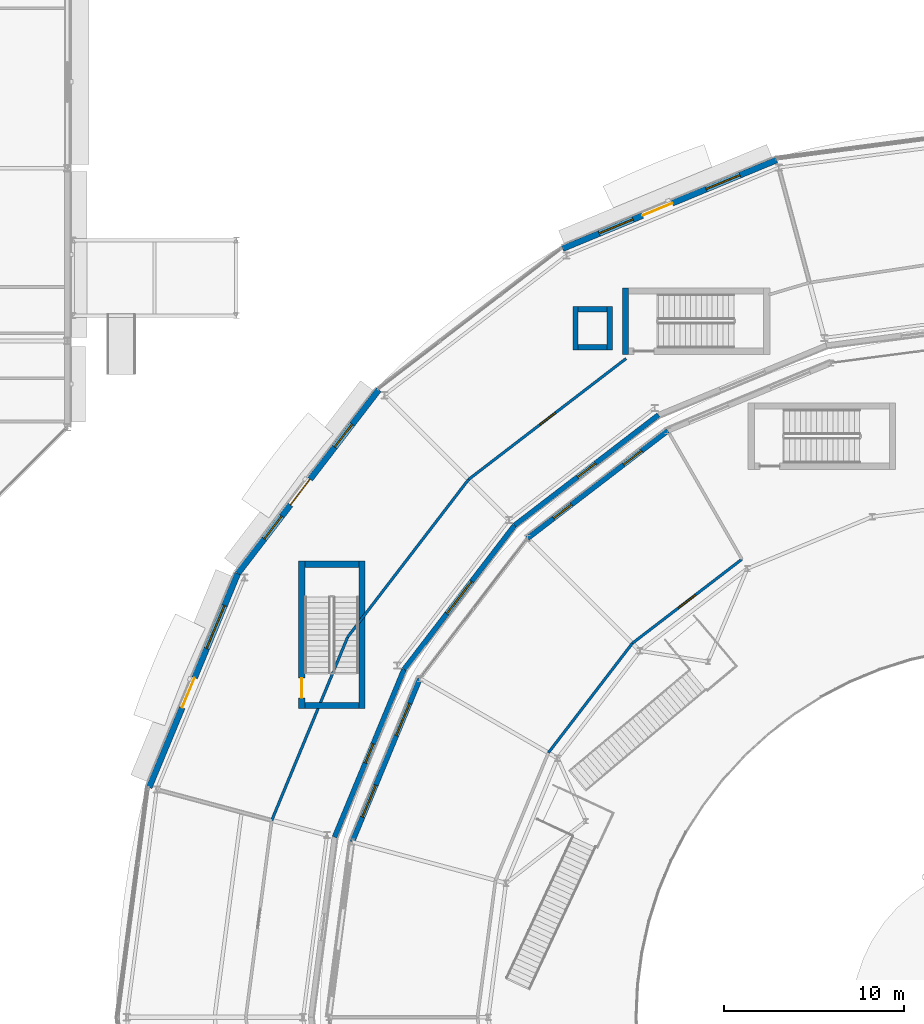
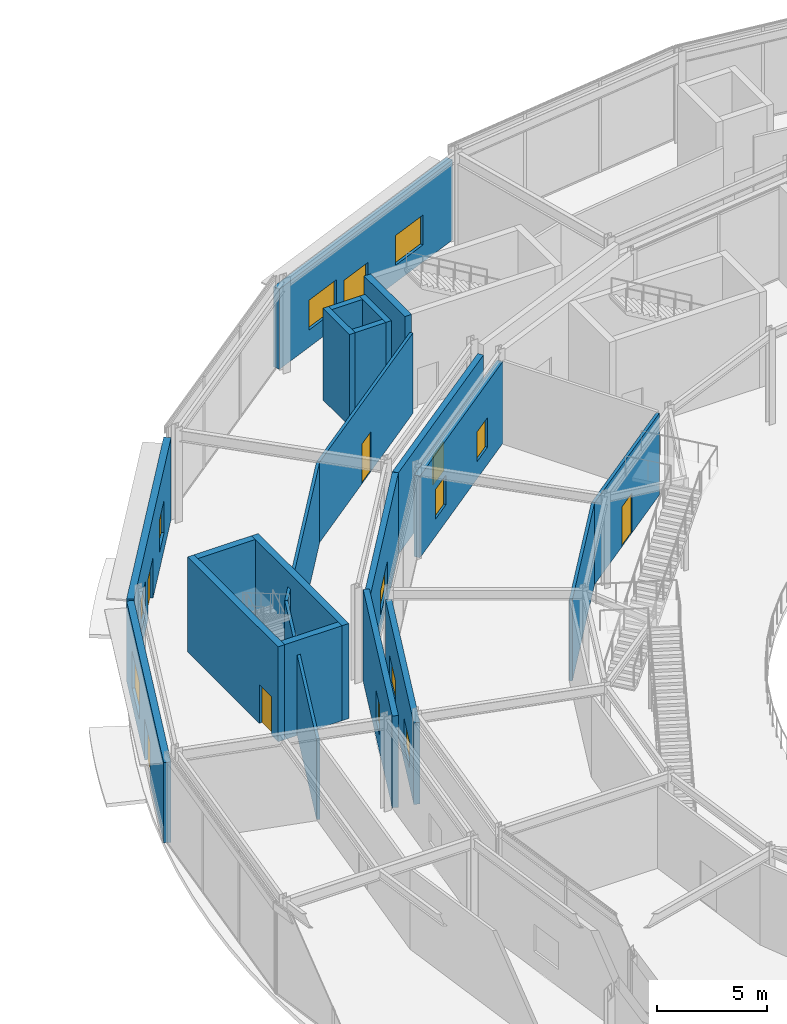
# One storey, part 123 of 168: 22 walls, 12 windows, 6 doors, 18 openings.
"""IFC4 building model written with IfcOpenShell, lengths in metres."""

import ifcopenshell
import ifcopenshell.guid

model = None  # the IFC model being written
_history = None  # IfcOwnerHistory: only IFC2X3 demands one
_inside = {}  # id of a spatial element -> (the spatial element, [elements in it])
_under = {}  # id of a project, library or spatial element -> (it, [spatial elements below it])
_declared = {}  # id of a project -> (the project, [libraries it declares])
_typed = {}  # id of a type object -> (the type object, [elements of that type])
_made_of = {}  # id of a material, layer set ... -> (it, [elements and type objects made of it])


def new_model(schema):
    """Start an empty IFC model of exactly this schema.

    Asked for "IFC4X3", IfcOpenShell would pick the latest addendum, in which some entities
    have other attributes; the version numbers below select the first issue.
    IFC2X3 requires an IfcOwnerHistory on every rooted entity: one is made here for all.
    """
    global model, _history
    if schema == "IFC4X3":
        model = ifcopenshell.file(schema_version=(4, 3, 0, 0))
    else:
        model = ifcopenshell.file(schema=schema)
    _inside.clear()
    _under.clear()
    _declared.clear()
    _typed.clear()
    _made_of.clear()
    _history = None
    if model.schema == "IFC2X3":
        org = make("IfcOrganization", Name="unknown")
        user = make(
            "IfcPersonAndOrganization",
            ThePerson=make("IfcPerson", FamilyName="unknown"),
            TheOrganization=org,
        )
        app = make(
            "IfcApplication",
            ApplicationDeveloper=org,
            Version="unknown",
            ApplicationFullName="unknown",
            ApplicationIdentifier="unknown",
        )
        _history = make(
            "IfcOwnerHistory",
            OwningUser=user,
            OwningApplication=app,
            ChangeAction="ADDED",
            CreationDate=0,
        )
    return model


def make(cls, **values):
    """One entity of the class cls with the attributes given. An attribute that is None is left unset."""
    return model.create_entity(
        cls, **{name: value for name, value in values.items() if value is not None}
    )


def rooted(cls, **values):
    """An entity with a GlobalId (a new one), such as an element, a storey or a relation."""
    return make(cls, GlobalId=ifcopenshell.guid.new(), OwnerHistory=_history, **values)


def si_unit(unit_type, name, prefix=None):
    """IfcSIUnit, for example si_unit("LENGTHUNIT", "METRE", prefix="MILLI")."""
    return make("IfcSIUnit", UnitType=unit_type, Prefix=prefix, Name=name)


def assignment(units):
    """IfcUnitAssignment: the units of a project."""
    return None if units is None else make("IfcUnitAssignment", Units=units)


def point(xyz):
    """IfcCartesianPoint."""
    return None if xyz is None else make("IfcCartesianPoint", Coordinates=xyz)


def direction(xyz):
    """IfcDirection."""
    return None if xyz is None else make("IfcDirection", DirectionRatios=xyz)


def frame(location, z_axis=None, x_axis=None):
    """IfcAxis2Placement3D, a coordinate frame: its origin and axes. An axis left out is left unset."""
    return make(
        "IfcAxis2Placement3D",
        Location=point(location),
        Axis=direction(z_axis),
        RefDirection=direction(x_axis),
    )


def frame_2d(location, x_axis=None):
    """IfcAxis2Placement2D, a coordinate frame in the plane: its origin and x axis."""
    return make(
        "IfcAxis2Placement2D", Location=point(location), RefDirection=direction(x_axis)
    )


def origin():
    """The frame at (0, 0, 0) with its axes left unset."""
    return frame((0.0, 0.0, 0.0))


def place(relative_to, where):
    """IfcLocalPlacement: puts the frame where relative to a parent placement (None: the world)."""
    return make(
        "IfcLocalPlacement", PlacementRelTo=relative_to, RelativePlacement=where
    )


def context(
    kind, dimensions, precision=None, world=None, true_north=None, identifier=None
):
    """IfcGeometricRepresentationContext, for example the 3D "Model" context."""
    return make(
        "IfcGeometricRepresentationContext",
        ContextIdentifier=identifier,
        ContextType=kind,
        CoordinateSpaceDimension=dimensions,
        Precision=precision,
        WorldCoordinateSystem=world,
        TrueNorth=true_north,
    )


def subcontext(parent, identifier, kind, view, scale=None):
    """IfcGeometricRepresentationSubContext, for example "Body" below "Model"."""
    return make(
        "IfcGeometricRepresentationSubContext",
        ContextIdentifier=identifier,
        ContextType=kind,
        ParentContext=parent,
        TargetScale=scale,
        TargetView=view,
    )


def project(units=None, contexts=None):
    """IfcProject with its units and contexts."""
    return rooted(
        "IfcProject",
        Name="project",
        RepresentationContexts=contexts,
        UnitsInContext=assignment(units),
    )


def spatial(cls, under=None, at=None, **own):
    """A site, building, storey or space (cls), placed at a placement, below another one or the project."""
    s = rooted(cls, ObjectPlacement=at, **own)
    if under is not None:
        _under.setdefault(under.id(), (under, []))[1].append(s)
    return s


def profile(cls, at=None, kind="AREA", **sizes):
    """A parametric profile (cls). Its sizes go by their IFC names, for example OverallWidth=200.0."""
    return make(cls, ProfileType=kind, Position=at, **sizes)


def rectangle(**sizes):
    """IfcRectangleProfileDef."""
    return profile("IfcRectangleProfileDef", **sizes)


def extrude(swept, where, along, depth):
    """IfcExtrudedAreaSolid: the profile swept, set in the frame where, extruded along a direction by depth."""
    return make(
        "IfcExtrudedAreaSolid",
        SweptArea=swept,
        Position=where,
        ExtrudedDirection=direction(along),
        Depth=depth,
    )


def shape(context_of_items, identifier, shape_type, items):
    """IfcShapeRepresentation: the items that make up one representation, for example the "Body"."""
    return make(
        "IfcShapeRepresentation",
        ContextOfItems=context_of_items,
        RepresentationIdentifier=identifier,
        RepresentationType=shape_type,
        Items=items,
    )


def material(Name=None, Category=None):
    """IfcMaterial."""
    return make("IfcMaterial", Name=Name, Category=Category)


def layer(
    of_material, thickness, ventilated=None, Name=None, Category=None, Priority=None
):
    """IfcMaterialLayer: one layer of a wall or slab, of a material (None: an air gap)."""
    return make(
        "IfcMaterialLayer",
        Material=of_material,
        LayerThickness=thickness,
        IsVentilated=ventilated,
        Name=Name,
        Category=Category,
        Priority=Priority,
    )


def layer_set(layers, Name=None):
    """IfcMaterialLayerSet."""
    return make("IfcMaterialLayerSet", MaterialLayers=layers, LayerSetName=Name)


def made_of(thing, what):
    """Note that an element or type object is made of a material, layer set ...; save() writes the relation."""
    if what is not None:
        _made_of.setdefault(what.id(), (what, []))[1].append(thing)
    return thing


def type_object(cls, material=None, **own):
    """A type object (cls), such as IfcWallType, which elements share."""
    return made_of(rooted(cls, **own), material)


def element(
    cls,
    number,
    at=None,
    inside=None,
    cuts=None,
    type_object=None,
    material=None,
    context=None,
    identifier="Body",
    shape_type=None,
    held_by="IfcProductDefinitionShape",
    body=None,
    shapes=None,
    **own,
):
    """One element of the class cls, such as IfcWall. Its Tag is "e" and its number.

    at: its placement. inside: the storey or other place that contains it. cuts: it is an
    opening in that element (IfcRelVoidsElement). A single representation is given by context,
    identifier, shape_type and body (its items); several are given by shapes. held_by: the class
    of the entity that holds the representations. save() writes the other relations.
    """
    e = rooted(cls, Tag="e%d" % number, ObjectPlacement=at, **own)
    if body is not None:
        shapes = [shape(context, identifier, shape_type, body)]
    if shapes is not None:
        e.Representation = make(held_by, Representations=shapes)
    if inside is not None:
        _inside.setdefault(inside.id(), (inside, []))[1].append(e)
    if cuts is not None:
        rooted(
            "IfcRelVoidsElement", RelatingBuildingElement=cuts, RelatedOpeningElement=e
        )
    if type_object is not None:
        _typed.setdefault(type_object.id(), (type_object, []))[1].append(e)
    return made_of(e, material)


def fill(opening, filler):
    """IfcRelFillsElement: the door or window that sits in an opening."""
    return rooted(
        "IfcRelFillsElement",
        RelatingOpeningElement=opening,
        RelatedBuildingElement=filler,
    )


def aggregate(whole, parts):
    """IfcRelAggregates: a whole, such as a stair, and the parts it consists of."""
    return rooted("IfcRelAggregates", RelatingObject=whole, RelatedObjects=parts)


def save(model, path):
    """Write the relations noted so far, then the file.

    IfcRelAggregates (storeys below a building ...), IfcRelContainedInSpatialStructure (elements
    in a storey), IfcRelDefinesByType, IfcRelAssociatesMaterial and IfcRelDeclares: one each for
    every whole, place, type object, material and project.
    """
    for whole, parts in _under.values():
        aggregate(whole, parts)
    for where, things in _inside.values():
        rooted(
            "IfcRelContainedInSpatialStructure",
            RelatedElements=things,
            RelatingStructure=where,
        )
    for kind, things in _typed.values():
        rooted("IfcRelDefinesByType", RelatedObjects=things, RelatingType=kind)
    for what, things in _made_of.values():
        rooted("IfcRelAssociatesMaterial", RelatedObjects=things, RelatingMaterial=what)
    for by, libraries in _declared.values():
        rooted("IfcRelDeclares", RelatingContext=by, RelatedDefinitions=libraries)
    model.write(path)


model = new_model("IFC4")

# Units and contexts
model_context = context("Model", 3, precision=1e-05, world=origin(), true_north=direction((0.0, 1.0)))
body_context = subcontext(model_context, "Body", "Model", "MODEL_VIEW")
ifc_project = project(units=[si_unit("LENGTHUNIT", "METRE"), si_unit("AREAUNIT", "SQUARE_METRE"), si_unit("VOLUMEUNIT", "CUBIC_METRE"), si_unit("PLANEANGLEUNIT", "RADIAN"), si_unit("MASSUNIT", "GRAM", prefix="KILO")], contexts=[model_context])

# Site, building, storey
site_placement = place(None, origin())
site = spatial("IfcSite", under=ifc_project, at=site_placement, CompositionType="ELEMENT")
building_placement = place(site_placement, origin())
building = spatial("IfcBuilding", under=site, at=building_placement, Name="Almandine Court Research Institute", CompositionType="ELEMENT")
storey_placement = place(building_placement, origin())
storey = spatial("IfcBuildingStorey", under=building, at=storey_placement, Name="L00", CompositionType="ELEMENT", Elevation=0.0)

# Wall, openings, door, windows
ifc_material_1 = material(Name="Andean Red-Buff Sandstone Plinth Wall", Category="masonry")
ifc_layer_1 = layer(ifc_material_1, 0.340087890625)
ifc_layer_set_1 = layer_set([ifc_layer_1], Name="Andean Red-Buff Sandstone Plinth Wall")
wall_type_1 = type_object("IfcWallType", Name="Wall-EXT-SAND-340", PredefinedType="SOLIDWALL", material=ifc_layer_set_1)
wall_1_placement = place(storey_placement, frame((62.3349609375, 98.73193359375, 0.0), z_axis=(0.0, 0.0, 1.0), x_axis=(0.923868612896, 0.382709793584, 0.0)))
wall_1 = element("IfcWall", 1, at=wall_1_placement, inside=storey, type_object=wall_type_1, Name="L00 Drum Outer Facade Wall 07", PredefinedType="SOLIDWALL", context=body_context, shape_type="SweptSolid", body=[
    extrude(rectangle(XDim=12.868896484375, YDim=0.340087890625, at=frame_2d((6.4345703125, 0.0))), origin(), (0.0, 0.0, 1.0), 4.43310546875),
])
opening_1_placement = place(wall_1_placement, frame((4.800048828125, 0.0, 0.0)))
opening_1 = element("IfcOpeningElement", 2, at=opening_1_placement, cuts=wall_1, Name="Opening EX-02", PredefinedType="OPENING", context=body_context, shape_type="SweptSolid", body=[
    extrude(rectangle(XDim=1.800048828125, YDim=2.25, at=frame_2d((0.89990234375, 1.125))), frame((0.0, 0.179931640625, 0.0), z_axis=(0.0, -1.0, 0.0), x_axis=(1.0, 0.0, 0.0)), (0.0, 0.0, 1.0), 0.360107421875),
])
opening_2_placement = place(wall_1_placement, frame((2.197021484375, 0.0, 0.949951171875)))
opening_2 = element("IfcOpeningElement", 3, at=opening_2_placement, cuts=wall_1, Name="Opening WN-52", PredefinedType="OPENING", context=body_context, shape_type="SweptSolid", body=[
    extrude(rectangle(XDim=2.0400390625, YDim=1.64990234375, at=frame_2d((1.02001953125, 0.824951171875))), frame((0.0, 0.179931640625, 0.0), z_axis=(0.0, -1.0, 0.0), x_axis=(1.0, 0.0, 0.0)), (0.0, 0.0, 1.0), 0.360107421875),
])
opening_3_placement = place(wall_1_placement, frame((8.632080078125, 0.0, 0.949951171875)))
opening_3 = element("IfcOpeningElement", 4, at=opening_3_placement, cuts=wall_1, Name="Opening WN-52", PredefinedType="OPENING", context=body_context, shape_type="SweptSolid", body=[
    extrude(rectangle(XDim=2.0400390625, YDim=1.64990234375, at=frame_2d((1.02001953125, 0.824951171875))), frame((0.0, 0.179931640625, 0.0), z_axis=(0.0, -1.0, 0.0), x_axis=(1.0, 0.0, 0.0)), (0.0, 0.0, 1.0), 0.360107421875),
])
ifc_material_2 = material(Name="Anodised Aluminium Exit Discharge Door", Category="aluminium")
door_type_1 = type_object("IfcDoorType", Name="Door-EX-1800", OperationType="DOUBLE_DOOR_SINGLE_SWING", PredefinedType="DOOR", material=ifc_material_2)
door_1_placement = place(opening_1_placement, origin())
door_1 = element("IfcDoor", 5, at=door_1_placement, inside=storey, type_object=door_type_1, Name="L00 Drum Courtyard Exit Door 07", OperationType="DOUBLE_DOOR_SINGLE_SWING", OverallHeight=2.25, OverallWidth=1.800048828125, PredefinedType="DOOR", context=body_context, shape_type="SweptSolid", body=[
    extrude(rectangle(XDim=1.800048828125, YDim=2.25, at=frame_2d((0.89990234375, 1.125))), frame((0.0, 0.02490234375, 0.0), z_axis=(0.0, -1.0, 0.0), x_axis=(1.0, 0.0, 0.0)), (0.0, 0.0, 1.0), 0.050048828125),
])
fill(opening_1, door_1)
ifc_material_3 = material(Name="Thermally Broken Low-E Double-Glazed Window", Category="glass")
window_type_1 = type_object("IfcWindowType", Name="Win-WN-52-2040x1650", PartitioningType="SINGLE_PANEL", PredefinedType="WINDOW", material=ifc_material_3)
window_1_placement = place(opening_2_placement, origin())
window_1 = element("IfcWindow", 6, at=window_1_placement, inside=storey, type_object=window_type_1, Name="L00 Modular Recessed Low-E Window 221", OverallHeight=1.64990234375, OverallWidth=2.0400390625, PartitioningType="SINGLE_PANEL", PredefinedType="WINDOW", context=body_context, shape_type="SweptSolid", body=[
    extrude(rectangle(XDim=2.0400390625, YDim=1.64990234375, at=frame_2d((1.02001953125, 0.824951171875))), frame((0.0, 0.030029296875, 0.0), z_axis=(0.0, -1.0, 0.0), x_axis=(1.0, 0.0, 0.0)), (0.0, 0.0, 1.0), 0.06005859375),
])
fill(opening_2, window_1)
window_2_placement = place(opening_3_placement, origin())
window_2 = element("IfcWindow", 7, at=window_2_placement, inside=storey, type_object=window_type_1, Name="L00 Modular Recessed Low-E Window 222", OverallHeight=1.64990234375, OverallWidth=2.0400390625, PartitioningType="SINGLE_PANEL", PredefinedType="WINDOW", context=body_context, shape_type="SweptSolid", body=[
    extrude(rectangle(XDim=2.0400390625, YDim=1.64990234375, at=frame_2d((1.02001953125, 0.824951171875))), frame((0.0, 0.030029296875, 0.0), z_axis=(0.0, -1.0, 0.0), x_axis=(1.0, 0.0, 0.0)), (0.0, 0.0, 1.0), 0.06005859375),
])
fill(opening_3, window_2)

wall_2_placement = place(storey_placement, frame((44.27392578125, 80.675048828125, 0.0), z_axis=(0.0, 0.0, 1.0), x_axis=(0.608778799465, 0.79334001117, 0.0)))
wall_2 = element("IfcWall", 8, at=wall_2_placement, inside=storey, type_object=wall_type_1, Name="L00 Drum Outer Facade Wall 09", PredefinedType="SOLIDWALL", context=body_context, shape_type="SweptSolid", body=[
    extrude(rectangle(XDim=12.868408203125, YDim=0.340087890625, at=frame_2d((6.43408203125, 0.0))), origin(), (0.0, 0.0, 1.0), 4.51611328125),
])
opening_4_placement = place(wall_2_placement, frame((4.800048828125, 0.0, 0.0)))
opening_4 = element("IfcOpeningElement", 9, at=opening_4_placement, cuts=wall_2, Name="Opening EX-02", PredefinedType="OPENING", context=body_context, shape_type="SweptSolid", body=[
    extrude(rectangle(XDim=1.800048828125, YDim=2.25, at=frame_2d((0.89990234375, 1.125))), frame((0.0, 0.179931640625, 0.0), z_axis=(0.0, -1.0, 0.0), x_axis=(1.0, 0.0, 0.0)), (0.0, 0.0, 1.0), 0.360107421875),
])
opening_5_placement = place(wall_2_placement, frame((2.4169921875, 0.0, 0.949951171875)))
opening_5 = element("IfcOpeningElement", 10, at=opening_5_placement, cuts=wall_2, Name="Opening WN-56", PredefinedType="OPENING", context=body_context, shape_type="SweptSolid", body=[
    extrude(rectangle(XDim=1.60009765625, YDim=1.81005859375, at=frame_2d((0.800048828125, 0.905029296875))), frame((0.0, 0.179931640625, 0.0), z_axis=(0.0, -1.0, 0.0), x_axis=(1.0, 0.0, 0.0)), (0.0, 0.0, 1.0), 0.360107421875),
])
opening_6_placement = place(wall_2_placement, frame((8.85107421875, 0.0, 0.949951171875)))
opening_6 = element("IfcOpeningElement", 11, at=opening_6_placement, cuts=wall_2, Name="Opening WN-56", PredefinedType="OPENING", context=body_context, shape_type="SweptSolid", body=[
    extrude(rectangle(XDim=1.60009765625, YDim=1.81005859375, at=frame_2d((0.800048828125, 0.905029296875))), frame((0.0, 0.179931640625, 0.0), z_axis=(0.0, -1.0, 0.0), x_axis=(1.0, 0.0, 0.0)), (0.0, 0.0, 1.0), 0.360107421875),
])
door_2_placement = place(opening_4_placement, origin())
door_2 = element("IfcDoor", 12, at=door_2_placement, inside=storey, type_object=door_type_1, Name="L00 Drum Courtyard Exit Door 09", OperationType="DOUBLE_DOOR_SINGLE_SWING", OverallHeight=2.25, OverallWidth=1.800048828125, PredefinedType="DOOR", context=body_context, shape_type="SweptSolid", body=[
    extrude(rectangle(XDim=1.800048828125, YDim=2.25, at=frame_2d((0.89990234375, 1.125))), frame((0.0, 0.02490234375, 0.0), z_axis=(0.0, -1.0, 0.0), x_axis=(1.0, 0.0, 0.0)), (0.0, 0.0, 1.0), 0.050048828125),
])
fill(opening_4, door_2)
window_type_2 = type_object("IfcWindowType", Name="Win-WN-56-1600x1810", PartitioningType="SINGLE_PANEL", PredefinedType="WINDOW", material=ifc_material_3)
window_3_placement = place(opening_5_placement, origin())
window_3 = element("IfcWindow", 13, at=window_3_placement, inside=storey, type_object=window_type_2, Name="L00 Modular Recessed Low-E Window 225", OverallHeight=1.81005859375, OverallWidth=1.60009765625, PartitioningType="SINGLE_PANEL", PredefinedType="WINDOW", context=body_context, shape_type="SweptSolid", body=[
    extrude(rectangle(XDim=1.60009765625, YDim=1.81005859375, at=frame_2d((0.800048828125, 0.905029296875))), frame((0.0, 0.030029296875, 0.0), z_axis=(0.0, -1.0, 0.0), x_axis=(1.0, 0.0, 0.0)), (0.0, 0.0, 1.0), 0.06005859375),
])
fill(opening_5, window_3)
window_4_placement = place(opening_6_placement, origin())
window_4 = element("IfcWindow", 14, at=window_4_placement, inside=storey, type_object=window_type_2, Name="L00 Modular Recessed Low-E Window 226", OverallHeight=1.81005859375, OverallWidth=1.60009765625, PartitioningType="SINGLE_PANEL", PredefinedType="WINDOW", context=body_context, shape_type="SweptSolid", body=[
    extrude(rectangle(XDim=1.60009765625, YDim=1.81005859375, at=frame_2d((0.800048828125, 0.905029296875))), frame((0.0, 0.030029296875, 0.0), z_axis=(0.0, -1.0, 0.0), x_axis=(1.0, 0.0, 0.0)), (0.0, 0.0, 1.0), 0.06005859375),
])
fill(opening_6, window_4)

# Wall, openings, door, window
wall_3_placement = place(storey_placement, frame((39.343017578125, 68.77587890625, 0.0), z_axis=(0.0, 0.0, 1.0), x_axis=(0.382709793584, 0.923868612896, 0.0)))
wall_3 = element("IfcWall", 15, at=wall_3_placement, inside=storey, type_object=wall_type_1, Name="L00 Drum Outer Facade Wall 10", PredefinedType="SOLIDWALL", context=body_context, shape_type="SweptSolid", body=[
    extrude(rectangle(XDim=12.868896484375, YDim=0.340087890625, at=frame_2d((6.4345703125, 0.0))), origin(), (0.0, 0.0, 1.0), 4.43310546875),
])
opening_7_placement = place(wall_3_placement, frame((4.800048828125, 0.0, 0.0)))
opening_7 = element("IfcOpeningElement", 16, at=opening_7_placement, cuts=wall_3, Name="Opening EX-02", PredefinedType="OPENING", context=body_context, shape_type="SweptSolid", body=[
    extrude(rectangle(XDim=1.800048828125, YDim=2.25, at=frame_2d((0.89990234375, 1.125))), frame((0.0, 0.179931640625, 0.0), z_axis=(0.0, -1.0, 0.0), x_axis=(1.0, 0.0, 0.0)), (0.0, 0.0, 1.0), 0.360107421875),
])
opening_8_placement = place(wall_3_placement, frame((8.35693359375, 0.0, 0.949951171875)))
opening_8 = element("IfcOpeningElement", 17, at=opening_8_placement, cuts=wall_3, Name="Opening WN-59", PredefinedType="OPENING", context=body_context, shape_type="SweptSolid", body=[
    extrude(rectangle(XDim=2.590087890625, YDim=2.050048828125, at=frame_2d((1.294921875, 1.02490234375))), frame((0.0, 0.179931640625, 0.0), z_axis=(0.0, -1.0, 0.0), x_axis=(1.0, 0.0, 0.0)), (0.0, 0.0, 1.0), 0.360107421875),
])
door_3_placement = place(opening_7_placement, origin())
door_3 = element("IfcDoor", 18, at=door_3_placement, inside=storey, type_object=door_type_1, Name="L00 Drum Courtyard Exit Door 10", OperationType="DOUBLE_DOOR_SINGLE_SWING", OverallHeight=2.25, OverallWidth=1.800048828125, PredefinedType="DOOR", context=body_context, shape_type="SweptSolid", body=[
    extrude(rectangle(XDim=1.800048828125, YDim=2.25, at=frame_2d((0.89990234375, 1.125))), frame((0.0, 0.02490234375, 0.0), z_axis=(0.0, -1.0, 0.0), x_axis=(1.0, 0.0, 0.0)), (0.0, 0.0, 1.0), 0.050048828125),
])
fill(opening_7, door_3)
window_type_3 = type_object("IfcWindowType", Name="Win-WN-59-2590x2050", PartitioningType="SINGLE_PANEL", PredefinedType="WINDOW", material=ifc_material_3)
window_5_placement = place(opening_8_placement, origin())
window_5 = element("IfcWindow", 19, at=window_5_placement, inside=storey, type_object=window_type_3, Name="L00 Modular Recessed Low-E Window 228", OverallHeight=2.050048828125, OverallWidth=2.590087890625, PartitioningType="SINGLE_PANEL", PredefinedType="WINDOW", context=body_context, shape_type="SweptSolid", body=[
    extrude(rectangle(XDim=2.590087890625, YDim=2.050048828125, at=frame_2d((1.294921875, 1.02490234375))), frame((0.0, 0.030029296875, 0.0), z_axis=(0.0, -1.0, 0.0), x_axis=(1.0, 0.0, 0.0)), (0.0, 0.0, 1.0), 0.06005859375),
])
fill(opening_8, window_5)

# Wall, opening, window
ifc_material_4 = material(Name="Insulated Ochre Terracotta Rainscreen Wall", Category="masonry")
ifc_layer_2 = layer(ifc_material_4, 0.2900390625)
ifc_layer_set_2 = layer_set([ifc_layer_2], Name="Insulated Ochre Terracotta Rainscreen Wall")
wall_type_2 = type_object("IfcWallType", Name="Wall-EXT-TERR-290", PredefinedType="SOLIDWALL", material=ifc_layer_set_2)
wall_4_placement = place(storey_placement, frame((67.6650390625, 89.47705078125, 0.0), z_axis=(0.0, 0.0, 1.0), x_axis=(-0.793371621275, -0.608737604027, 0.0)))
wall_4 = element("IfcWall", 20, at=wall_4_placement, inside=storey, type_object=wall_type_2, Name="L00 Drum Inner Gallery Wall 08", PredefinedType="SOLIDWALL", context=body_context, shape_type="SweptSolid", body=[
    extrude(rectangle(XDim=10.079833984375, YDim=0.2900390625, at=frame_2d((5.0400390625, 0.0))), origin(), (0.0, 0.0, 1.0), 4.51611328125),
])
opening_9_placement = place(wall_4_placement, frame((4.405029296875, 0.0, 0.949951171875)))
opening_9 = element("IfcOpeningElement", 21, at=opening_9_placement, cuts=wall_4, Name="Opening WN-105", PredefinedType="OPENING", context=body_context, shape_type="SweptSolid", body=[
    extrude(rectangle(XDim=1.27001953125, YDim=1.590087890625, at=frame_2d((0.635009765625, 0.794921875))), frame((0.0, 0.155029296875, 0.0), z_axis=(0.0, -1.0, 0.0), x_axis=(1.0, 0.0, 0.0)), (0.0, 0.0, 1.0), 0.31005859375),
])
window_type_4 = type_object("IfcWindowType", Name="Win-WN-105-1270x1590", PartitioningType="SINGLE_PANEL", PredefinedType="WINDOW", material=ifc_material_3)
window_6_placement = place(opening_9_placement, origin())
window_6 = element("IfcWindow", 22, at=window_6_placement, inside=storey, type_object=window_type_4, Name="L00 Modular Recessed Low-E Window 224", OverallHeight=1.590087890625, OverallWidth=1.27001953125, PartitioningType="SINGLE_PANEL", PredefinedType="WINDOW", context=body_context, shape_type="SweptSolid", body=[
    extrude(rectangle(XDim=1.27001953125, YDim=1.590087890625, at=frame_2d((0.635009765625, 0.794921875))), frame((0.0, 0.030029296875, 0.0), z_axis=(0.0, -1.0, 0.0), x_axis=(1.0, 0.0, 0.0)), (0.0, 0.0, 1.0), 0.06005859375),
])
fill(opening_9, window_6)

wall_5_placement = place(storey_placement, frame((59.658935546875, 83.33203125, 0.0), z_axis=(0.0, 0.0, 1.0), x_axis=(-0.608737604027, -0.793371621275, 0.0)))
wall_5 = element("IfcWall", 23, at=wall_5_placement, inside=storey, type_object=wall_type_2, Name="L00 Drum Inner Gallery Wall 09", PredefinedType="SOLIDWALL", context=body_context, shape_type="SweptSolid", body=[
    extrude(rectangle(XDim=10.079833984375, YDim=0.2900390625, at=frame_2d((5.0400390625, 0.0))), origin(), (0.0, 0.0, 1.0), 4.51611328125),
])
opening_10_placement = place(wall_5_placement, frame((3.909912109375, 0.0, 0.949951171875)))
opening_10 = element("IfcOpeningElement", 24, at=opening_10_placement, cuts=wall_5, Name="Opening WN-106", PredefinedType="OPENING", context=body_context, shape_type="SweptSolid", body=[
    extrude(rectangle(XDim=2.260009765625, YDim=1.35009765625, at=frame_2d((1.1298828125, 0.675048828125))), frame((0.0, 0.155029296875, 0.0), z_axis=(0.0, -1.0, 0.0), x_axis=(1.0, 0.0, 0.0)), (0.0, 0.0, 1.0), 0.31005859375),
])
window_type_5 = type_object("IfcWindowType", Name="Win-WN-106-2260x1350", PartitioningType="SINGLE_PANEL", PredefinedType="WINDOW", material=ifc_material_3)
window_7_placement = place(opening_10_placement, origin())
window_7 = element("IfcWindow", 25, at=window_7_placement, inside=storey, type_object=window_type_5, Name="L00 Modular Recessed Low-E Window 227", OverallHeight=1.35009765625, OverallWidth=2.260009765625, PartitioningType="SINGLE_PANEL", PredefinedType="WINDOW", context=body_context, shape_type="SweptSolid", body=[
    extrude(rectangle(XDim=2.260009765625, YDim=1.35009765625, at=frame_2d((1.1298828125, 0.675048828125))), frame((0.0, 0.030029296875, 0.0), z_axis=(0.0, -1.0, 0.0), x_axis=(1.0, 0.0, 0.0)), (0.0, 0.0, 1.0), 0.06005859375),
])
fill(opening_10, window_7)

wall_6_placement = place(storey_placement, frame((53.51708984375, 75.324951171875, 0.0), z_axis=(0.0, 0.0, 1.0), x_axis=(-0.382733240508, -0.92385889973, 0.0)))
wall_6 = element("IfcWall", 26, at=wall_6_placement, inside=storey, type_object=wall_type_2, Name="L00 Drum Inner Gallery Wall 10", PredefinedType="SOLIDWALL", context=body_context, shape_type="SweptSolid", body=[
    extrude(rectangle(XDim=10.08056640625, YDim=0.2900390625, at=frame_2d((5.040283203125, 0.0))), origin(), (0.0, 0.0, 1.0), 5.070068359375),
])
opening_11_placement = place(wall_6_placement, frame((4.4599609375, 0.0, 0.949951171875)))
opening_11 = element("IfcOpeningElement", 27, at=opening_11_placement, cuts=wall_6, Name="Opening WN-107", PredefinedType="OPENING", context=body_context, shape_type="SweptSolid", body=[
    extrude(rectangle(XDim=1.159912109375, YDim=1.669921875, at=frame_2d((0.580078125, 0.8349609375))), frame((0.0, 0.155029296875, 0.0), z_axis=(0.0, -1.0, 0.0), x_axis=(1.0, 0.0, 0.0)), (0.0, 0.0, 1.0), 0.31005859375),
])
window_type_6 = type_object("IfcWindowType", Name="Win-WN-107-1160x1670", PartitioningType="SINGLE_PANEL", PredefinedType="WINDOW", material=ifc_material_3)
window_8_placement = place(opening_11_placement, origin())
window_8 = element("IfcWindow", 28, at=window_8_placement, inside=storey, type_object=window_type_6, Name="L00 Modular Recessed Low-E Window 229", OverallHeight=1.669921875, OverallWidth=1.159912109375, PartitioningType="SINGLE_PANEL", PredefinedType="WINDOW", context=body_context, shape_type="SweptSolid", body=[
    extrude(rectangle(XDim=1.159912109375, YDim=1.669921875, at=frame_2d((0.580078125, 0.8349609375))), frame((0.0, 0.030029296875, 0.0), z_axis=(0.0, -1.0, 0.0), x_axis=(1.0, 0.0, 0.0)), (0.0, 0.0, 1.0), 0.06005859375),
])
fill(opening_11, window_8)

# Wall, openings, windows
wall_7_placement = place(storey_placement, frame((60.381103515625, 82.625, 0.0), z_axis=(0.0, 0.0, 1.0), x_axis=(0.793364612762, 0.608746738158, 0.0)))
wall_7 = element("IfcWall", 29, at=wall_7_placement, inside=storey, type_object=wall_type_2, Name="L00 Interaction Atrium Perimeter Wall 08", PredefinedType="SOLIDWALL", context=body_context, shape_type="SweptSolid", body=[
    extrude(rectangle(XDim=9.8203125, YDim=0.2900390625, at=frame_2d((4.91015625, 0.0))), origin(), (0.0, 0.0, 1.0), 4.511962890625),
])
opening_12_placement = place(wall_7_placement, frame((1.820068359375, 0.0, 0.949951171875)))
opening_12 = element("IfcOpeningElement", 30, at=opening_12_placement, cuts=wall_7, Name="Opening WN-129", PredefinedType="OPENING", context=body_context, shape_type="SweptSolid", body=[
    extrude(rectangle(XDim=1.27001953125, YDim=1.639892578125, at=frame_2d((0.635009765625, 0.81982421875))), frame((0.0, 0.155029296875, 0.0), z_axis=(0.0, -1.0, 0.0), x_axis=(1.0, 0.0, 0.0)), (0.0, 0.0, 1.0), 0.31005859375),
])
opening_13_placement = place(wall_7_placement, frame((6.72998046875, 0.0, 0.949951171875)))
opening_13 = element("IfcOpeningElement", 31, at=opening_13_placement, cuts=wall_7, Name="Opening WN-129", PredefinedType="OPENING", context=body_context, shape_type="SweptSolid", body=[
    extrude(rectangle(XDim=1.27001953125, YDim=1.639892578125, at=frame_2d((0.635009765625, 0.81982421875))), frame((0.0, 0.155029296875, 0.0), z_axis=(0.0, -1.0, 0.0), x_axis=(1.0, 0.0, 0.0)), (0.0, 0.0, 1.0), 0.31005859375),
])
window_type_7 = type_object("IfcWindowType", Name="Win-WN-129-1270x1640", PartitioningType="SINGLE_PANEL", PredefinedType="WINDOW", material=ifc_material_3)
window_9_placement = place(opening_12_placement, origin())
window_9 = element("IfcWindow", 32, at=window_9_placement, inside=storey, type_object=window_type_7, Name="L00 Modular Recessed Low-E Window 320", OverallHeight=1.639892578125, OverallWidth=1.27001953125, PartitioningType="SINGLE_PANEL", PredefinedType="WINDOW", context=body_context, shape_type="SweptSolid", body=[
    extrude(rectangle(XDim=1.27001953125, YDim=1.639892578125, at=frame_2d((0.635009765625, 0.81982421875))), frame((0.0, 0.030029296875, 0.0), z_axis=(0.0, -1.0, 0.0), x_axis=(1.0, 0.0, 0.0)), (0.0, 0.0, 1.0), 0.06005859375),
])
fill(opening_12, window_9)
window_10_placement = place(opening_13_placement, origin())
window_10 = element("IfcWindow", 33, at=window_10_placement, inside=storey, type_object=window_type_7, Name="L00 Modular Recessed Low-E Window 321", OverallHeight=1.639892578125, OverallWidth=1.27001953125, PartitioningType="SINGLE_PANEL", PredefinedType="WINDOW", context=body_context, shape_type="SweptSolid", body=[
    extrude(rectangle(XDim=1.27001953125, YDim=1.639892578125, at=frame_2d((0.635009765625, 0.81982421875))), frame((0.0, 0.030029296875, 0.0), z_axis=(0.0, -1.0, 0.0), x_axis=(1.0, 0.0, 0.0)), (0.0, 0.0, 1.0), 0.06005859375),
])
fill(opening_13, window_10)

wall_8_placement = place(storey_placement, frame((50.634033203125, 65.748046875, 0.0), z_axis=(0.0, 0.0, 1.0), x_axis=(0.382759423628, 0.923848052238, 0.0)))
wall_8 = element("IfcWall", 34, at=wall_8_placement, inside=storey, type_object=wall_type_2, Name="L00 Interaction Atrium Perimeter Wall 10", PredefinedType="SOLIDWALL", context=body_context, shape_type="SweptSolid", body=[
    extrude(rectangle(XDim=9.82080078125, YDim=0.2900390625, at=frame_2d((4.910400390625, 0.0))), origin(), (0.0, 0.0, 1.0), 4.511962890625),
])
opening_14_placement = place(wall_8_placement, frame((1.489990234375, 0.0, 0.949951171875)))
opening_14 = element("IfcOpeningElement", 35, at=opening_14_placement, cuts=wall_8, Name="Opening WN-91", PredefinedType="OPENING", context=body_context, shape_type="SweptSolid", body=[
    extrude(rectangle(XDim=1.929931640625, YDim=1.47998046875, at=frame_2d((0.96484375, 0.739990234375))), frame((0.0, 0.155029296875, 0.0), z_axis=(0.0, -1.0, 0.0), x_axis=(1.0, 0.0, 0.0)), (0.0, 0.0, 1.0), 0.31005859375),
])
opening_15_placement = place(wall_8_placement, frame((6.40087890625, 0.0, 0.949951171875)))
opening_15 = element("IfcOpeningElement", 36, at=opening_15_placement, cuts=wall_8, Name="Opening WN-91", PredefinedType="OPENING", context=body_context, shape_type="SweptSolid", body=[
    extrude(rectangle(XDim=1.929931640625, YDim=1.47998046875, at=frame_2d((0.96484375, 0.739990234375))), frame((0.0, 0.155029296875, 0.0), z_axis=(0.0, -1.0, 0.0), x_axis=(1.0, 0.0, 0.0)), (0.0, 0.0, 1.0), 0.31005859375),
])
window_type_8 = type_object("IfcWindowType", Name="Win-WN-91-1930x1480", PartitioningType="SINGLE_PANEL", PredefinedType="WINDOW", material=ifc_material_3)
window_11_placement = place(opening_14_placement, origin())
window_11 = element("IfcWindow", 37, at=window_11_placement, inside=storey, type_object=window_type_8, Name="L00 Modular Recessed Low-E Window 322", OverallHeight=1.47998046875, OverallWidth=1.929931640625, PartitioningType="SINGLE_PANEL", PredefinedType="WINDOW", context=body_context, shape_type="SweptSolid", body=[
    extrude(rectangle(XDim=1.929931640625, YDim=1.47998046875, at=frame_2d((0.96484375, 0.739990234375))), frame((0.0, 0.030029296875, 0.0), z_axis=(0.0, -1.0, 0.0), x_axis=(1.0, 0.0, 0.0)), (0.0, 0.0, 1.0), 0.06005859375),
])
fill(opening_14, window_11)
window_12_placement = place(opening_15_placement, origin())
window_12 = element("IfcWindow", 38, at=window_12_placement, inside=storey, type_object=window_type_8, Name="L00 Modular Recessed Low-E Window 323", OverallHeight=1.47998046875, OverallWidth=1.929931640625, PartitioningType="SINGLE_PANEL", PredefinedType="WINDOW", context=body_context, shape_type="SweptSolid", body=[
    extrude(rectangle(XDim=1.929931640625, YDim=1.47998046875, at=frame_2d((0.96484375, 0.739990234375))), frame((0.0, 0.030029296875, 0.0), z_axis=(0.0, -1.0, 0.0), x_axis=(1.0, 0.0, 0.0)), (0.0, 0.0, 1.0), 0.06005859375),
])
fill(opening_15, window_12)

# Wall, opening, door
ifc_material_5 = material(Name="Acoustic Steel-Stud Gypsum Partition Wall", Category="steel")
ifc_layer_3 = layer(ifc_material_5, 0.14990234375)
ifc_layer_set_3 = layer_set([ifc_layer_3], Name="Acoustic Steel-Stud Gypsum Partition Wall")
wall_type_3 = type_object("IfcWallType", Name="Wall-PART-150", PredefinedType="PARTITIONING", material=ifc_layer_set_3)
wall_9_placement = place(storey_placement, frame((65.860107421875, 92.615966796875, 0.0), z_axis=(0.0, 0.0, 1.0), x_axis=(-0.793301872689, -0.608828497024, 0.0)))
wall_9 = element("IfcWall", 39, at=wall_9_placement, inside=storey, type_object=wall_type_3, Name="L00 Interior Partition W-V5-L00-CHD-08", PredefinedType="PARTITIONING", context=body_context, shape_type="SweptSolid", body=[
    extrude(rectangle(XDim=11.03759765625, YDim=0.14990234375, at=frame_2d((5.518798828125, 0.0))), origin(), (0.0, 0.0, 1.0), 4.43798828125),
])
opening_16_placement = place(wall_9_placement, frame((4.949951171875, 0.0, 0.0)))
opening_16 = element("IfcOpeningElement", 40, at=opening_16_placement, cuts=wall_9, Name="Opening D-03", PredefinedType="OPENING", context=body_context, shape_type="SweptSolid", body=[
    extrude(rectangle(XDim=1.10009765625, YDim=2.199951171875, at=frame_2d((0.550048828125, 1.10009765625))), frame((0.0, 0.0849609375, 0.0), z_axis=(0.0, -1.0, 0.0), x_axis=(1.0, 0.0, 0.0)), (0.0, 0.0, 1.0), 0.169921875),
])
ifc_material_6 = material(Name="Acoustic Vision-Panel Seminar Door")
door_type_2 = type_object("IfcDoorType", Name="Door-INT-1100", OperationType="NOTDEFINED", PredefinedType="DOOR", material=ifc_material_6)
door_4_placement = place(opening_16_placement, origin())
door_4 = element("IfcDoor", 41, at=door_4_placement, inside=storey, type_object=door_type_2, Name="L00 Drum Reference Library Door", OperationType="SINGLE_SWING_LEFT", OverallHeight=2.199951171875, OverallWidth=1.10009765625, PredefinedType="DOOR", context=body_context, shape_type="SweptSolid", body=[
    extrude(rectangle(XDim=1.10009765625, YDim=2.199951171875, at=frame_2d((0.550048828125, 1.10009765625))), frame((0.0, 0.02490234375, 0.0), z_axis=(0.0, -1.0, 0.0), x_axis=(1.0, 0.0, 0.0)), (0.0, 0.0, 1.0), 0.050048828125),
])
fill(opening_16, door_4)

# Walls
wall_10_placement = place(storey_placement, frame((57.10400390625, 85.89599609375, 0.0), z_axis=(0.0, 0.0, 1.0), x_axis=(-0.608828497024, -0.793301872689, 0.0)))
element("IfcWall", 42, at=wall_10_placement, inside=storey, type_object=wall_type_3, Name="L00 Interior Partition W-V5-L00-CHD-09", PredefinedType="PARTITIONING", context=body_context, shape_type="SweptSolid", body=[
    extrude(rectangle(XDim=11.03759765625, YDim=0.14990234375, at=frame_2d((5.518798828125, 0.0))), origin(), (0.0, 0.0, 1.0), 4.43798828125),
])
wall_11_placement = place(storey_placement, frame((50.384033203125, 77.139892578125, 0.0), z_axis=(0.0, 0.0, 1.0), x_axis=(-0.382644845446, -0.923895514793, 0.0)))
element("IfcWall", 43, at=wall_11_placement, inside=storey, type_object=wall_type_3, Name="L00 Interior Partition W-V5-L00-CHD-10", PredefinedType="PARTITIONING", context=body_context, shape_type="SweptSolid", body=[
    extrude(rectangle(XDim=11.03662109375, YDim=0.14990234375, at=frame_2d((5.518310546875, 0.0))), origin(), (0.0, 0.0, 1.0), 4.43798828125),
])

# Wall, opening, door
wall_12_placement = place(storey_placement, frame((72.300048828125, 81.4609375, 0.0), z_axis=(0.0, 0.0, 1.0), x_axis=(-0.793382566499, -0.60872333878, 0.0)))
wall_12 = element("IfcWall", 44, at=wall_12_placement, inside=storey, type_object=wall_type_3, Name="L00 Interior Partition W-V2-L00-CHD-08", PredefinedType="PARTITIONING", context=body_context, shape_type="SweptSolid", body=[
    extrude(rectangle(XDim=7.6748046875, YDim=0.14990234375, at=frame_2d((3.83740234375, 0.0))), origin(), (0.0, 0.0, 1.0), 4.51708984375),
])
opening_17_placement = place(wall_12_placement, frame((3.237060546875, 0.0, 0.0)))
opening_17 = element("IfcOpeningElement", 45, at=opening_17_placement, cuts=wall_12, Name="Opening D-04", PredefinedType="OPENING", context=body_context, shape_type="SweptSolid", body=[
    extrude(rectangle(XDim=1.199951171875, YDim=2.199951171875, at=frame_2d((0.60009765625, 1.10009765625))), frame((0.0, 0.0849609375, 0.0), z_axis=(0.0, -1.0, 0.0), x_axis=(1.0, 0.0, 0.0)), (0.0, 0.0, 1.0), 0.169921875),
])
ifc_material_7 = material(Name="Wide Acoustic Laboratory Suite Door")
door_type_3 = type_object("IfcDoorType", Name="Door-INT-1200", OperationType="NOTDEFINED", PredefinedType="DOOR", material=ifc_material_7)
door_5_placement = place(opening_17_placement, origin())
door_5 = element("IfcDoor", 46, at=door_5_placement, inside=storey, type_object=door_type_3, Name="L00 Atrium Collaboration Gallery Door", OperationType="SINGLE_SWING_RIGHT", OverallHeight=2.199951171875, OverallWidth=1.199951171875, PredefinedType="DOOR", context=body_context, shape_type="SweptSolid", body=[
    extrude(rectangle(XDim=1.199951171875, YDim=2.199951171875, at=frame_2d((0.60009765625, 1.10009765625))), frame((0.0, 0.02490234375, 0.0), z_axis=(0.0, -1.0, 0.0), x_axis=(1.0, 0.0, 0.0)), (0.0, 0.0, 1.0), 0.050048828125),
])
fill(opening_17, door_5)

# Walls
wall_13_placement = place(storey_placement, frame((66.2109375, 76.7890625, 0.0), z_axis=(0.0, 0.0, 1.0), x_axis=(-0.60872333878, -0.793382566499, 0.0)))
element("IfcWall", 47, at=wall_13_placement, inside=storey, type_object=wall_type_3, Name="L00 Interior Partition W-V2-L00-CHD-09", PredefinedType="PARTITIONING", context=body_context, shape_type="SweptSolid", body=[
    extrude(rectangle(XDim=7.6748046875, YDim=0.14990234375, at=frame_2d((3.83740234375, 0.0))), origin(), (0.0, 0.0, 1.0), 4.51708984375),
])
ifc_material_8 = material(Name="Concrete C40/50", Category="concrete")
ifc_layer_4 = layer(ifc_material_8, 0.300048828125)
ifc_layer_set_4 = layer_set([ifc_layer_4], Name="Concrete C40/50")
wall_type_4 = type_object("IfcWallType", Name="Wall-SW-CORE-300", PredefinedType="SHEAR", material=ifc_layer_set_4)
wall_14_placement = place(storey_placement, frame((63.050048828125, 93.10009765625, 0.0), z_axis=(0.0, 0.0, 1.0), x_axis=(0.0, 1.0, 0.0)))
element("IfcWall", 48, at=wall_14_placement, inside=storey, type_object=wall_type_4, Name="L00 MEP Riser RS-V5B W Shear Wall", PredefinedType="SHEAR", context=body_context, shape_type="SweptSolid", body=[
    extrude(rectangle(XDim=2.39990234375, YDim=0.300048828125, at=frame_2d((1.199951171875, 0.0))), origin(), (0.0, 0.0, 1.0), 5.070068359375),
])
wall_15_placement = place(storey_placement, frame((63.199951171875, 95.35009765625, 0.0), z_axis=(0.0, 0.0, 1.0), x_axis=(1.0, 0.0, 0.0)))
element("IfcWall", 49, at=wall_15_placement, inside=storey, type_object=wall_type_4, Name="L00 MEP Riser RS-V5B N Shear Wall", PredefinedType="SHEAR", context=body_context, shape_type="SweptSolid", body=[
    extrude(rectangle(XDim=1.60009765625, YDim=0.300048828125, at=frame_2d((0.800048828125, 0.0))), origin(), (0.0, 0.0, 1.0), 5.070068359375),
])
wall_16_placement = place(storey_placement, frame((64.949951171875, 95.5, 0.0), z_axis=(0.0, 0.0, 1.0), x_axis=(0.0, -1.0, 0.0)))
element("IfcWall", 50, at=wall_16_placement, inside=storey, type_object=wall_type_4, Name="L00 MEP Riser RS-V5B E Shear Wall", PredefinedType="SHEAR", context=body_context, shape_type="SweptSolid", body=[
    extrude(rectangle(XDim=2.39990234375, YDim=0.300048828125, at=frame_2d((1.199951171875, 0.0))), origin(), (0.0, 0.0, 1.0), 5.070068359375),
])
wall_17_placement = place(storey_placement, frame((64.800048828125, 93.25, 0.0), z_axis=(0.0, 0.0, 1.0), x_axis=(-1.0, 0.0, 0.0)))
element("IfcWall", 51, at=wall_17_placement, inside=storey, type_object=wall_type_4, Name="L00 MEP Riser RS-V5B S Shear Wall", PredefinedType="SHEAR", context=body_context, shape_type="SweptSolid", body=[
    extrude(rectangle(XDim=1.60009765625, YDim=0.300048828125, at=frame_2d((0.800048828125, 0.0))), origin(), (0.0, 0.0, 1.0), 5.070068359375),
])
ifc_layer_5 = layer(ifc_material_8, 0.35009765625)
ifc_layer_set_5 = layer_set([ifc_layer_5], Name="Concrete C40/50")
wall_type_5 = type_object("IfcWallType", Name="Wall-SW-CORE-350", PredefinedType="SHEAR", material=ifc_layer_set_5)
wall_18_placement = place(storey_placement, frame((65.824951171875, 92.85009765625, 0.0), z_axis=(0.0, 0.0, 1.0), x_axis=(0.0, 1.0, 0.0)))
element("IfcWall", 52, at=wall_18_placement, inside=storey, type_object=wall_type_5, Name="L00 ST-10 W Shear Wall", PredefinedType="SHEAR", context=body_context, shape_type="SweptSolid", body=[
    extrude(rectangle(XDim=3.699951171875, YDim=0.35009765625, at=frame_2d((1.85009765625, 0.0))), origin(), (0.0, 0.0, 1.0), 5.25),
])

# Wall, opening, door
wall_19_placement = place(storey_placement, frame((47.824951171875, 73.14990234375, 0.0), z_axis=(0.0, 0.0, 1.0), x_axis=(0.0, 1.0, 0.0)))
wall_19 = element("IfcWall", 53, at=wall_19_placement, inside=storey, type_object=wall_type_5, Name="L00 ST-15 W Shear Wall", PredefinedType="SHEAR", context=body_context, shape_type="SweptSolid", body=[
    extrude(rectangle(XDim=8.2001953125, YDim=0.35009765625, at=frame_2d((4.10009765625, 0.0))), origin(), (0.0, 0.0, 1.0), 5.25),
])
opening_18_placement = place(wall_19_placement, frame((0.60009765625, 0.0, 0.0)))
opening_18 = element("IfcOpeningElement", 54, at=opening_18_placement, cuts=wall_19, Name="Opening FD-STAIR", PredefinedType="OPENING", context=body_context, shape_type="SweptSolid", body=[
    extrude(rectangle(XDim=1.10009765625, YDim=2.14990234375, at=frame_2d((0.550048828125, 1.074951171875))), frame((0.0, 0.18505859375, 0.0), z_axis=(0.0, -1.0, 0.0), x_axis=(1.0, 0.0, 0.0)), (0.0, 0.0, 1.0), 0.3701171875),
])
ifc_material_9 = material(Name="Self-Closing Steel Exit Stair Fire Door", Category="steel")
door_type_4 = type_object("IfcDoorType", Name="Door-FD-STAIR-1100", OperationType="NOTDEFINED", PredefinedType="DOOR", material=ifc_material_9)
door_6_placement = place(opening_18_placement, origin())
door_6 = element("IfcDoor", 55, at=door_6_placement, inside=storey, type_object=door_type_4, Name="L00 Exit Stair ST-15 Fire Door", OperationType="SINGLE_SWING_RIGHT", OverallHeight=2.14990234375, OverallWidth=1.10009765625, PredefinedType="DOOR", context=body_context, shape_type="SweptSolid", body=[
    extrude(rectangle(XDim=1.10009765625, YDim=2.14990234375, at=frame_2d((0.550048828125, 1.074951171875))), frame((0.0, 0.02490234375, 0.0), z_axis=(0.0, -1.0, 0.0), x_axis=(1.0, 0.0, 0.0)), (0.0, 0.0, 1.0), 0.050048828125),
])
fill(opening_18, door_6)

# Walls
wall_20_placement = place(storey_placement, frame((48.0, 81.175048828125, 0.0), z_axis=(0.0, 0.0, 1.0), x_axis=(1.0, 0.0, 0.0)))
element("IfcWall", 56, at=wall_20_placement, inside=storey, type_object=wall_type_5, Name="L00 ST-15 N Shear Wall", PredefinedType="SHEAR", context=body_context, shape_type="SweptSolid", body=[
    extrude(rectangle(XDim=3.0, YDim=0.35009765625, at=frame_2d((1.5, 0.0))), origin(), (0.0, 0.0, 1.0), 5.25),
])
wall_21_placement = place(storey_placement, frame((51.175048828125, 81.35009765625, 0.0), z_axis=(0.0, 0.0, 1.0), x_axis=(0.0, -1.0, 0.0)))
element("IfcWall", 57, at=wall_21_placement, inside=storey, type_object=wall_type_5, Name="L00 ST-15 E Shear Wall", PredefinedType="SHEAR", context=body_context, shape_type="SweptSolid", body=[
    extrude(rectangle(XDim=8.2001953125, YDim=0.35009765625, at=frame_2d((4.10009765625, 0.0))), origin(), (0.0, 0.0, 1.0), 5.25),
])
wall_22_placement = place(storey_placement, frame((51.0, 73.324951171875, 0.0), z_axis=(0.0, 0.0, 1.0), x_axis=(-1.0, 0.0, 0.0)))
element("IfcWall", 58, at=wall_22_placement, inside=storey, type_object=wall_type_5, Name="L00 ST-15 S Shear Wall", PredefinedType="SHEAR", context=body_context, shape_type="SweptSolid", body=[
    extrude(rectangle(XDim=3.0, YDim=0.35009765625, at=frame_2d((1.5, 0.0))), origin(), (0.0, 0.0, 1.0), 5.25),
])

save(model, "model.ifc")
